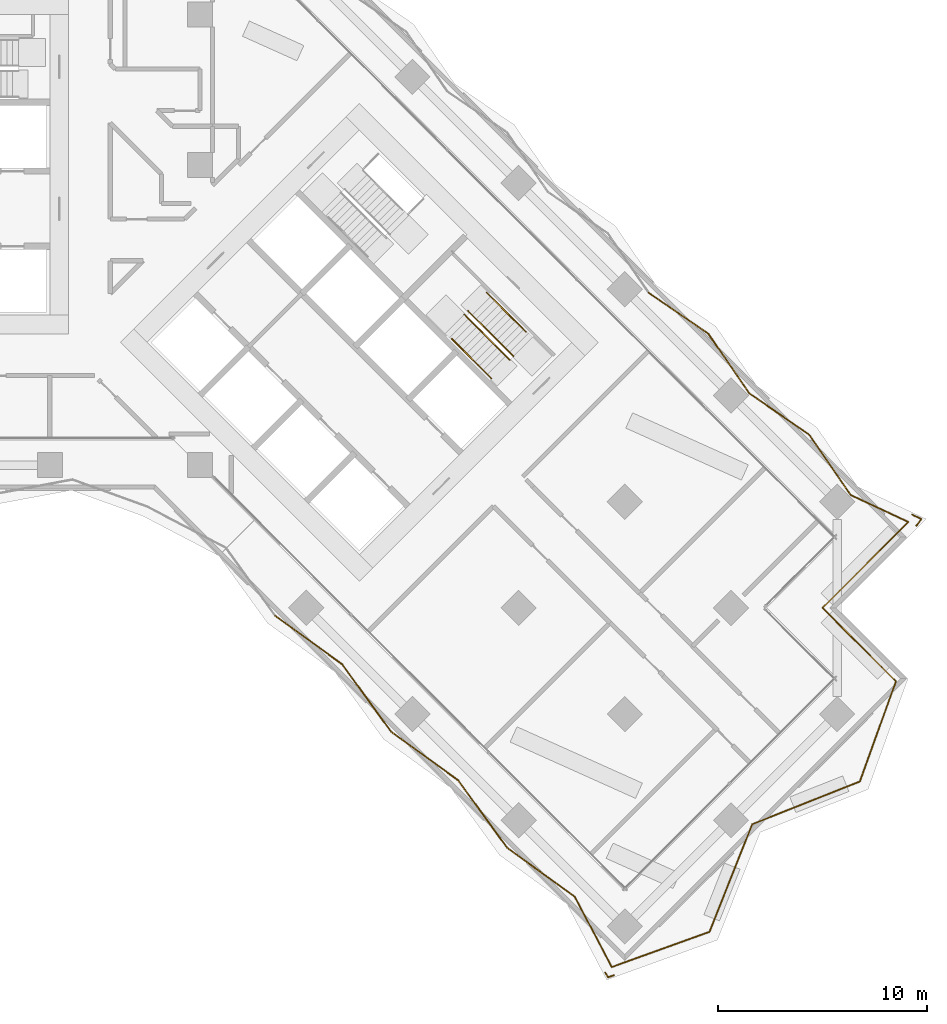
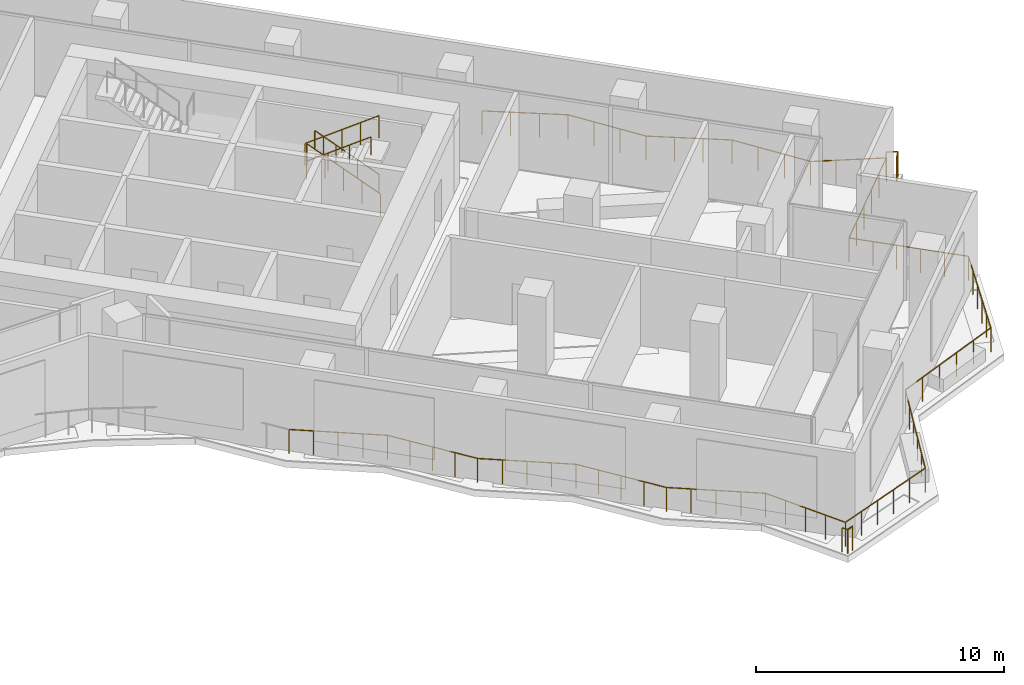
# One storey, part 23 of 24: 25 railings.
"""IFC4 building model written with IfcOpenShell, lengths in metres."""

from ifc_helpers import new_model, si_unit, direction, frame, origin, origin_2d, place, context, subcontext, project, spatial, circle, extrude, material, type_object, element, save


model = new_model("IFC4")

# Units and contexts
model_context = context("Model", 3, precision=1e-05, world=origin(), true_north=direction((0.0, 1.0)))
body_context = subcontext(model_context, "Body", "Model", "MODEL_VIEW")
ifc_project = project(units=[si_unit("LENGTHUNIT", "METRE"), si_unit("AREAUNIT", "SQUARE_METRE"), si_unit("VOLUMEUNIT", "CUBIC_METRE"), si_unit("PLANEANGLEUNIT", "RADIAN"), si_unit("MASSUNIT", "GRAM", prefix="KILO")], contexts=[model_context])

# Site, building, storey
site_placement = place(None, origin())
site = spatial("IfcSite", under=ifc_project, at=site_placement, CompositionType="ELEMENT")
building_placement = place(site_placement, origin())
building = spatial("IfcBuilding", under=site, at=building_placement, Name="Windrow Commons", CompositionType="ELEMENT")
storey_placement = place(building_placement, frame((0.0, 0.0, 67.8)))
storey = spatial("IfcBuildingStorey", under=building, at=storey_placement, Name="L18", CompositionType="ELEMENT", Elevation=67.8)

# Railings
ifc_material_1 = material(Name="Steel S355", Category="steel")
railing_type_1 = type_object("IfcRailingType", Name="Core stair guard 1100", PredefinedType="GUARDRAIL", material=ifc_material_1)
railing_1_placement = place(storey_placement, frame((94.2296, 48.4215, 0.175)))
element("IfcRailing", 1, at=railing_1_placement, inside=storey, type_object=railing_type_1, Name="L18 ST-B2 stair guard 1", PredefinedType="GUARDRAIL", context=body_context, shape_type="SweptSolid", body=[
    extrude(circle(Radius=0.024, at=origin_2d()), frame((0.0, 0.0, 1.076), z_axis=(-0.5996262107, 0.5996262107, 0.5299969951), x_axis=(-0.7071067812, -0.7071067812, 0.0)), (0.0, 0.0, 1.0), 3.6321),
    extrude(circle(Radius=0.021, at=origin_2d()), origin(), (0.0, 0.0, 1.0), 1.052),
    extrude(circle(Radius=0.021, at=origin_2d()), frame((-0.5445, 0.5445, 0.4813)), (0.0, 0.0, 1.0), 1.052),
    extrude(circle(Radius=0.021, at=origin_2d()), frame((-1.089, 1.089, 0.9625)), (0.0, 0.0, 1.0), 1.052),
    extrude(circle(Radius=0.021, at=origin_2d()), frame((-1.6334, 1.6334, 1.4438)), (0.0, 0.0, 1.0), 1.052),
    extrude(circle(Radius=0.021, at=origin_2d()), frame((-2.1779, 2.1779, 1.925)), (0.0, 0.0, 1.0), 1.052),
])
railing_2_placement = place(storey_placement, frame((91.8749, 50.4226, 2.275)))
element("IfcRailing", 2, at=railing_2_placement, inside=storey, type_object=railing_type_1, Name="L18 ST-B2 stair guard 2", PredefinedType="GUARDRAIL", context=body_context, shape_type="SweptSolid", body=[
    extrude(circle(Radius=0.024, at=origin_2d()), frame((0.0, 0.0, 1.076), z_axis=(0.5996262107, -0.5996262107, 0.5299969951), x_axis=(0.7071067812, 0.7071067812, 0.0)), (0.0, 0.0, 1.0), 3.6321),
    extrude(circle(Radius=0.021, at=origin_2d()), origin(), (0.0, 0.0, 1.0), 1.052),
    extrude(circle(Radius=0.021, at=origin_2d()), frame((0.5445, -0.5445, 0.4812)), (0.0, 0.0, 1.0), 1.052),
    extrude(circle(Radius=0.021, at=origin_2d()), frame((1.089, -1.089, 0.9625)), (0.0, 0.0, 1.0), 1.052),
    extrude(circle(Radius=0.021, at=origin_2d()), frame((1.6334, -1.6334, 1.4437)), (0.0, 0.0, 1.0), 1.052),
    extrude(circle(Radius=0.021, at=origin_2d()), frame((2.1779, -2.1779, 1.925)), (0.0, 0.0, 1.0), 1.052),
])
ifc_material_2 = material(Name="Steel S355", Category="steel")
railing_type_2 = type_object("IfcRailingType", Name="Core stair handrail 900", PredefinedType="HANDRAIL", material=ifc_material_2)
railing_3_placement = place(storey_placement, frame((94.8306, 49.5883, 0.425)))
element("IfcRailing", 3, at=railing_3_placement, inside=storey, type_object=railing_type_2, Name="L18 ST-B2 stair handrail 1", PredefinedType="HANDRAIL", context=body_context, shape_type="SweptSolid", body=[
    extrude(circle(Radius=0.024, at=origin_2d()), frame((0.0, 0.0, 0.876), z_axis=(-0.599641512, 0.5996098703, 0.5299981703), x_axis=(-0.7070881243, -0.7071254376, 0.0)), (0.0, 0.0, 1.0), 3.1604),
    extrude(circle(Radius=0.021, at=origin_2d()), origin(), (0.0, 0.0, 1.0), 0.852),
    extrude(circle(Radius=0.021, at=origin_2d()), frame((-0.6317, 0.6317, 0.5583)), (0.0, 0.0, 1.0), 0.852),
    extrude(circle(Radius=0.021, at=origin_2d()), frame((-1.2634, 1.2633, 1.1167)), (0.0, 0.0, 1.0), 0.852),
    extrude(circle(Radius=0.021, at=origin_2d()), frame((-1.8951, 1.895, 1.675)), (0.0, 0.0, 1.0), 0.852),
])
railing_4_placement = place(storey_placement, frame((91.2738, 49.2559, 2.525)))
element("IfcRailing", 4, at=railing_4_placement, inside=storey, type_object=railing_type_2, Name="L18 ST-B2 stair handrail 2", PredefinedType="HANDRAIL", context=body_context, shape_type="SweptSolid", body=[
    extrude(circle(Radius=0.024, at=origin_2d()), frame((0.0, 0.0, 0.876), z_axis=(0.599641512, -0.5996098703, 0.5299981703), x_axis=(0.7070881243, 0.7071254376, 0.0)), (0.0, 0.0, 1.0), 3.1604),
    extrude(circle(Radius=0.021, at=origin_2d()), origin(), (0.0, 0.0, 1.0), 0.852),
    extrude(circle(Radius=0.021, at=origin_2d()), frame((0.6317, -0.6317, 0.5583)), (0.0, 0.0, 1.0), 0.852),
    extrude(circle(Radius=0.021, at=origin_2d()), frame((1.2634, -1.2633, 1.1167)), (0.0, 0.0, 1.0), 0.852),
    extrude(circle(Radius=0.021, at=origin_2d()), frame((1.8951, -1.895, 1.675)), (0.0, 0.0, 1.0), 0.852),
])
ifc_material_3 = material(Name="Stainless steel S316 balustrade with toughened glass infill", Category="steel")
railing_type_3 = type_object("IfcRailingType", Name="Terrace guard 1200 podium", PredefinedType="BALUSTRADE", material=ifc_material_3)
railing_5_placement = place(storey_placement, frame((93.9159, 24.8653, 0.05)))
element("IfcRailing", 5, at=railing_5_placement, inside=storey, type_object=railing_type_3, Name="Guard TR-L18-1.E1", PredefinedType="BALUSTRADE", context=body_context, shape_type="SweptSolid", body=[
    extrude(circle(Radius=0.025, at=origin_2d()), frame((0.0, 0.0, 1.175), z_axis=(-0.5863547381, 0.8100543939, 0.0), x_axis=(-0.8100543939, -0.5863547381, 0.0)), (0.0, 0.0, 1.0), 3.9826),
    extrude(circle(Radius=0.02, at=origin_2d()), origin(), (0.0, 0.0, 1.0), 1.15),
    extrude(circle(Radius=0.02, at=origin_2d()), frame((-0.5838, 0.8065, 0.0)), (0.0, 0.0, 1.0), 1.15),
    extrude(circle(Radius=0.02, at=origin_2d()), frame((-1.1676, 1.613, 0.0)), (0.0, 0.0, 1.0), 1.15),
    extrude(circle(Radius=0.02, at=origin_2d()), frame((-1.7514, 2.4196, 0.0)), (0.0, 0.0, 1.0), 1.15),
    extrude(circle(Radius=0.02, at=origin_2d()), frame((-2.3352, 3.2261, 0.0)), (0.0, 0.0, 1.0), 1.15),
])
railing_6_placement = place(storey_placement, frame((91.5807, 28.0914, 0.05)))
element("IfcRailing", 6, at=railing_6_placement, inside=storey, type_object=railing_type_3, Name="Guard TR-L18-1.E2", PredefinedType="BALUSTRADE", context=body_context, shape_type="SweptSolid", body=[
    extrude(circle(Radius=0.025, at=origin_2d()), frame((0.0, 0.0, 1.175), z_axis=(-0.8100543939, 0.5863547381, 0.0), x_axis=(-0.5863547381, -0.8100543939, 0.0)), (0.0, 0.0, 1.0), 3.9826),
    extrude(circle(Radius=0.02, at=origin_2d()), origin(), (0.0, 0.0, 1.0), 1.15),
    extrude(circle(Radius=0.02, at=origin_2d()), frame((-0.8065, 0.5838, 0.0)), (0.0, 0.0, 1.0), 1.15),
    extrude(circle(Radius=0.02, at=origin_2d()), frame((-1.613, 1.1676, 0.0)), (0.0, 0.0, 1.0), 1.15),
    extrude(circle(Radius=0.02, at=origin_2d()), frame((-2.4196, 1.7514, 0.0)), (0.0, 0.0, 1.0), 1.15),
    extrude(circle(Radius=0.02, at=origin_2d()), frame((-3.2261, 2.3352, 0.0)), (0.0, 0.0, 1.0), 1.15),
])
railing_7_placement = place(storey_placement, frame((88.3546, 30.4266, 0.05)))
element("IfcRailing", 7, at=railing_7_placement, inside=storey, type_object=railing_type_3, Name="Guard TR-L18-1.E3", PredefinedType="BALUSTRADE", context=body_context, shape_type="SweptSolid", body=[
    extrude(circle(Radius=0.025, at=origin_2d()), frame((0.0, 0.0, 1.175), z_axis=(-0.586359288, 0.8100511005, 0.0), x_axis=(-0.8100511005, -0.586359288, 0.0)), (0.0, 0.0, 1.0), 3.9827),
    extrude(circle(Radius=0.02, at=origin_2d()), origin(), (0.0, 0.0, 1.0), 1.15),
    extrude(circle(Radius=0.02, at=origin_2d()), frame((-0.5838, 0.8065, 0.0)), (0.0, 0.0, 1.0), 1.15),
    extrude(circle(Radius=0.02, at=origin_2d()), frame((-1.1677, 1.6131, 0.0)), (0.0, 0.0, 1.0), 1.15),
    extrude(circle(Radius=0.02, at=origin_2d()), frame((-1.7515, 2.4196, 0.0)), (0.0, 0.0, 1.0), 1.15),
    extrude(circle(Radius=0.02, at=origin_2d()), frame((-2.3353, 3.2262, 0.0)), (0.0, 0.0, 1.0), 1.15),
])
railing_8_placement = place(storey_placement, frame((86.0193, 33.6528, 0.05)))
element("IfcRailing", 8, at=railing_8_placement, inside=storey, type_object=railing_type_3, Name="Guard TR-L18-1.E4", PredefinedType="BALUSTRADE", context=body_context, shape_type="SweptSolid", body=[
    extrude(circle(Radius=0.025, at=origin_2d()), frame((0.0, 0.0, 1.175), z_axis=(-0.8100543939, 0.5863547381, 0.0), x_axis=(-0.5863547381, -0.8100543939, 0.0)), (0.0, 0.0, 1.0), 3.9826),
    extrude(circle(Radius=0.02, at=origin_2d()), origin(), (0.0, 0.0, 1.0), 1.15),
    extrude(circle(Radius=0.02, at=origin_2d()), frame((-0.8065, 0.5838, 0.0)), (0.0, 0.0, 1.0), 1.15),
    extrude(circle(Radius=0.02, at=origin_2d()), frame((-1.6131, 1.1676, 0.0)), (0.0, 0.0, 1.0), 1.15),
    extrude(circle(Radius=0.02, at=origin_2d()), frame((-2.4196, 1.7514, 0.0)), (0.0, 0.0, 1.0), 1.15),
    extrude(circle(Radius=0.02, at=origin_2d()), frame((-3.2261, 2.3352, 0.0)), (0.0, 0.0, 1.0), 1.15),
])
railing_9_placement = place(storey_placement, frame((100.7076, 51.4705, 0.05)))
element("IfcRailing", 9, at=railing_9_placement, inside=storey, type_object=railing_type_3, Name="Guard TR-L18-1.E47", PredefinedType="BALUSTRADE", context=body_context, shape_type="SweptSolid", body=[
    extrude(circle(Radius=0.025, at=origin_2d()), frame((0.0, 0.0, 1.175), z_axis=(0.8236459911, -0.567104295, 0.0), x_axis=(0.567104295, 0.8236459911, 0.0)), (0.0, 0.0, 1.0), 3.4727),
    extrude(circle(Radius=0.02, at=origin_2d()), origin(), (0.0, 0.0, 1.0), 1.15),
    extrude(circle(Radius=0.02, at=origin_2d()), frame((0.9534, -0.6565, 0.0)), (0.0, 0.0, 1.0), 1.15),
    extrude(circle(Radius=0.02, at=origin_2d()), frame((1.9069, -1.3129, 0.0)), (0.0, 0.0, 1.0), 1.15),
    extrude(circle(Radius=0.02, at=origin_2d()), frame((2.8603, -1.9694, 0.0)), (0.0, 0.0, 1.0), 1.15),
])
railing_10_placement = place(storey_placement, frame((103.5679, 49.5011, 0.05)))
element("IfcRailing", 10, at=railing_10_placement, inside=storey, type_object=railing_type_3, Name="Guard TR-L18-1.E48", PredefinedType="BALUSTRADE", context=body_context, shape_type="SweptSolid", body=[
    extrude(circle(Radius=0.025, at=origin_2d()), frame((0.0, 0.0, 1.175), z_axis=(0.5670847596, -0.8236594414, 0.0), x_axis=(0.8236594414, 0.5670847596, 0.0)), (0.0, 0.0, 1.0), 3.4727),
    extrude(circle(Radius=0.02, at=origin_2d()), origin(), (0.0, 0.0, 1.0), 1.15),
    extrude(circle(Radius=0.02, at=origin_2d()), frame((0.6564, -0.9534, 0.0)), (0.0, 0.0, 1.0), 1.15),
    extrude(circle(Radius=0.02, at=origin_2d()), frame((1.3129, -1.9069, 0.0)), (0.0, 0.0, 1.0), 1.15),
    extrude(circle(Radius=0.02, at=origin_2d()), frame((1.9693, -2.8603, 0.0)), (0.0, 0.0, 1.0), 1.15),
])
railing_11_placement = place(storey_placement, frame((105.5372, 46.6408, 0.05)))
element("IfcRailing", 11, at=railing_11_placement, inside=storey, type_object=railing_type_3, Name="Guard TR-L18-1.E49", PredefinedType="BALUSTRADE", context=body_context, shape_type="SweptSolid", body=[
    extrude(circle(Radius=0.025, at=origin_2d()), frame((0.0, 0.0, 1.175), z_axis=(0.8236594414, -0.5670847596, 0.0), x_axis=(0.5670847596, 0.8236594414, 0.0)), (0.0, 0.0, 1.0), 3.4727),
    extrude(circle(Radius=0.02, at=origin_2d()), origin(), (0.0, 0.0, 1.0), 1.15),
    extrude(circle(Radius=0.02, at=origin_2d()), frame((0.9534, -0.6564, 0.0)), (0.0, 0.0, 1.0), 1.15),
    extrude(circle(Radius=0.02, at=origin_2d()), frame((1.9069, -1.3129, 0.0)), (0.0, 0.0, 1.0), 1.15),
    extrude(circle(Radius=0.02, at=origin_2d()), frame((2.8603, -1.9693, 0.0)), (0.0, 0.0, 1.0), 1.15),
])
railing_12_placement = place(storey_placement, frame((108.3975, 44.6715, 0.05)))
element("IfcRailing", 12, at=railing_12_placement, inside=storey, type_object=railing_type_3, Name="Guard TR-L18-1.E50", PredefinedType="BALUSTRADE", context=body_context, shape_type="SweptSolid", body=[
    extrude(circle(Radius=0.025, at=origin_2d()), frame((0.0, 0.0, 1.175), z_axis=(0.5670707314, -0.8236690996, 0.0), x_axis=(0.8236690996, 0.5670707314, 0.0)), (0.0, 0.0, 1.0), 3.5156),
    extrude(circle(Radius=0.02, at=origin_2d()), origin(), (0.0, 0.0, 1.0), 1.15),
    extrude(circle(Radius=0.02, at=origin_2d()), frame((0.6645, -0.9652, 0.0)), (0.0, 0.0, 1.0), 1.15),
    extrude(circle(Radius=0.02, at=origin_2d()), frame((1.3291, -1.9305, 0.0)), (0.0, 0.0, 1.0), 1.15),
    extrude(circle(Radius=0.02, at=origin_2d()), frame((1.9936, -2.8957, 0.0)), (0.0, 0.0, 1.0), 1.15),
])
railing_13_placement = place(storey_placement, frame((110.3911, 41.7758, 0.05)))
element("IfcRailing", 13, at=railing_13_placement, inside=storey, type_object=railing_type_3, Name="Guard TR-L18-1.E51", PredefinedType="BALUSTRADE", context=body_context, shape_type="SweptSolid", body=[
    extrude(circle(Radius=0.025, at=origin_2d()), frame((0.0, 0.0, 1.175), z_axis=(0.9048736176, -0.4256803215, 0.0), x_axis=(0.4256803215, 0.9048736176, 0.0)), (0.0, 0.0, 1.0), 3.0535),
    extrude(circle(Radius=0.02, at=origin_2d()), origin(), (0.0, 0.0, 1.0), 1.15),
    extrude(circle(Radius=0.02, at=origin_2d()), frame((0.921, -0.4333, 0.0)), (0.0, 0.0, 1.0), 1.15),
    extrude(circle(Radius=0.02, at=origin_2d()), frame((1.842, -0.8665, 0.0)), (0.0, 0.0, 1.0), 1.15),
    extrude(circle(Radius=0.02, at=origin_2d()), frame((2.763, -1.2998, 0.0)), (0.0, 0.0, 1.0), 1.15),
])
railing_14_placement = place(storey_placement, frame((113.1541, 40.476, 0.05)))
element("IfcRailing", 14, at=railing_14_placement, inside=storey, type_object=railing_type_3, Name="Guard TR-L18-1.E52", PredefinedType="BALUSTRADE", context=body_context, shape_type="SweptSolid", body=[
    extrude(circle(Radius=0.025, at=origin_2d()), frame((0.0, 0.0, 1.175), z_axis=(-0.7071067812, -0.7071067812, 0.0), x_axis=(0.7071067812, -0.7071067812, 0.0)), (0.0, 0.0, 1.0), 5.8184),
    extrude(circle(Radius=0.02, at=origin_2d()), origin(), (0.0, 0.0, 1.0), 1.15),
    extrude(circle(Radius=0.02, at=origin_2d()), frame((-0.8228, -0.8228, 0.0)), (0.0, 0.0, 1.0), 1.15),
    extrude(circle(Radius=0.02, at=origin_2d()), frame((-1.6457, -1.6457, 0.0)), (0.0, 0.0, 1.0), 1.15),
    extrude(circle(Radius=0.02, at=origin_2d()), frame((-2.4685, -2.4685, 0.0)), (0.0, 0.0, 1.0), 1.15),
    extrude(circle(Radius=0.02, at=origin_2d()), frame((-3.2914, -3.2914, 0.0)), (0.0, 0.0, 1.0), 1.15),
    extrude(circle(Radius=0.02, at=origin_2d()), frame((-4.1142, -4.1142, 0.0)), (0.0, 0.0, 1.0), 1.15),
])
railing_15_placement = place(storey_placement, frame((109.0399, 36.3618, 0.05)))
element("IfcRailing", 15, at=railing_15_placement, inside=storey, type_object=railing_type_3, Name="Guard TR-L18-1.E53", PredefinedType="BALUSTRADE", context=body_context, shape_type="SweptSolid", body=[
    extrude(circle(Radius=0.025, at=origin_2d()), frame((0.0, 0.0, 1.175), z_axis=(0.7071067812, -0.7071067812, 0.0), x_axis=(0.7071067812, 0.7071067812, 0.0)), (0.0, 0.0, 1.0), 4.9824),
    extrude(circle(Radius=0.02, at=origin_2d()), origin(), (0.0, 0.0, 1.0), 1.15),
    extrude(circle(Radius=0.02, at=origin_2d()), frame((0.7046, -0.7046, 0.0)), (0.0, 0.0, 1.0), 1.15),
    extrude(circle(Radius=0.02, at=origin_2d()), frame((1.4092, -1.4092, 0.0)), (0.0, 0.0, 1.0), 1.15),
    extrude(circle(Radius=0.02, at=origin_2d()), frame((2.1139, -2.1139, 0.0)), (0.0, 0.0, 1.0), 1.15),
    extrude(circle(Radius=0.02, at=origin_2d()), frame((2.8185, -2.8185, 0.0)), (0.0, 0.0, 1.0), 1.15),
    extrude(circle(Radius=0.02, at=origin_2d()), frame((3.5231, -3.5231, 0.0)), (0.0, 0.0, 1.0), 1.15),
])
railing_16_placement = place(storey_placement, frame((112.563, 32.8387, 0.05)))
element("IfcRailing", 16, at=railing_16_placement, inside=storey, type_object=railing_type_3, Name="Guard TR-L18-1.E54", PredefinedType="BALUSTRADE", context=body_context, shape_type="SweptSolid", body=[
    extrude(circle(Radius=0.025, at=origin_2d()), frame((0.0, 0.0, 1.175), z_axis=(-0.339248422, -0.9406968206, 0.0), x_axis=(0.9406968206, -0.339248422, 0.0)), (0.0, 0.0, 1.0), 5.1007),
    extrude(circle(Radius=0.02, at=origin_2d()), origin(), (0.0, 0.0, 1.0), 1.15),
    extrude(circle(Radius=0.02, at=origin_2d()), frame((-0.3461, -0.9596, 0.0)), (0.0, 0.0, 1.0), 1.15),
    extrude(circle(Radius=0.02, at=origin_2d()), frame((-0.6922, -1.9193, 0.0)), (0.0, 0.0, 1.0), 1.15),
    extrude(circle(Radius=0.02, at=origin_2d()), frame((-1.0382, -2.8789, 0.0)), (0.0, 0.0, 1.0), 1.15),
    extrude(circle(Radius=0.02, at=origin_2d()), frame((-1.3843, -3.8386, 0.0)), (0.0, 0.0, 1.0), 1.15),
    extrude(circle(Radius=0.02, at=origin_2d()), frame((-1.7304, -4.7982, 0.0)), (0.0, 0.0, 1.0), 1.15),
])
railing_17_placement = place(storey_placement, frame((110.8326, 28.0405, 0.05)))
element("IfcRailing", 17, at=railing_17_placement, inside=storey, type_object=railing_type_3, Name="Guard TR-L18-1.E55", PredefinedType="BALUSTRADE", context=body_context, shape_type="SweptSolid", body=[
    extrude(circle(Radius=0.025, at=origin_2d()), frame((0.0, 0.0, 1.175), z_axis=(-0.9291546807, -0.3696911947, 0.0), x_axis=(0.3696911947, -0.9291546807, 0.0)), (0.0, 0.0, 1.0), 5.5514),
    extrude(circle(Radius=0.02, at=origin_2d()), origin(), (0.0, 0.0, 1.0), 1.15),
    extrude(circle(Radius=0.02, at=origin_2d()), frame((-1.0316, -0.4105, 0.0)), (0.0, 0.0, 1.0), 1.15),
    extrude(circle(Radius=0.02, at=origin_2d()), frame((-2.0632, -0.8209, 0.0)), (0.0, 0.0, 1.0), 1.15),
    extrude(circle(Radius=0.02, at=origin_2d()), frame((-3.0949, -1.2314, 0.0)), (0.0, 0.0, 1.0), 1.15),
    extrude(circle(Radius=0.02, at=origin_2d()), frame((-4.1265, -1.6418, 0.0)), (0.0, 0.0, 1.0), 1.15),
    extrude(circle(Radius=0.02, at=origin_2d()), frame((-5.1581, -2.0523, 0.0)), (0.0, 0.0, 1.0), 1.15),
])
railing_18_placement = place(storey_placement, frame((105.6745, 25.9882, 0.05)))
element("IfcRailing", 18, at=railing_18_placement, inside=storey, type_object=railing_type_3, Name="Guard TR-L18-1.E56", PredefinedType="BALUSTRADE", context=body_context, shape_type="SweptSolid", body=[
    extrude(circle(Radius=0.025, at=origin_2d()), frame((0.0, 0.0, 1.175), z_axis=(-0.3696850071, -0.9291571425, 0.0), x_axis=(0.9291571425, -0.3696850071, 0.0)), (0.0, 0.0, 1.0), 5.5515),
    extrude(circle(Radius=0.02, at=origin_2d()), origin(), (0.0, 0.0, 1.0), 1.15),
    extrude(circle(Radius=0.02, at=origin_2d()), frame((-0.4105, -1.0316, 0.0)), (0.0, 0.0, 1.0), 1.15),
    extrude(circle(Radius=0.02, at=origin_2d()), frame((-0.8209, -2.0633, 0.0)), (0.0, 0.0, 1.0), 1.15),
    extrude(circle(Radius=0.02, at=origin_2d()), frame((-1.2314, -3.0949, 0.0)), (0.0, 0.0, 1.0), 1.15),
    extrude(circle(Radius=0.02, at=origin_2d()), frame((-1.6418, -4.1266, 0.0)), (0.0, 0.0, 1.0), 1.15),
    extrude(circle(Radius=0.02, at=origin_2d()), frame((-2.0523, -5.1582, 0.0)), (0.0, 0.0, 1.0), 1.15),
])
railing_19_placement = place(storey_placement, frame((103.6222, 20.83, 0.05)))
element("IfcRailing", 19, at=railing_19_placement, inside=storey, type_object=railing_type_3, Name="Guard TR-L18-1.E57", PredefinedType="BALUSTRADE", context=body_context, shape_type="SweptSolid", body=[
    extrude(circle(Radius=0.025, at=origin_2d()), frame((0.0, 0.0, 1.175), z_axis=(-0.9406979123, -0.3392453946, 0.0), x_axis=(0.3392453946, -0.9406979123, 0.0)), (0.0, 0.0, 1.0), 4.9819),
    extrude(circle(Radius=0.02, at=origin_2d()), origin(), (0.0, 0.0, 1.0), 1.15),
    extrude(circle(Radius=0.02, at=origin_2d()), frame((-0.9373, -0.338, 0.0)), (0.0, 0.0, 1.0), 1.15),
    extrude(circle(Radius=0.02, at=origin_2d()), frame((-1.8746, -0.676, 0.0)), (0.0, 0.0, 1.0), 1.15),
    extrude(circle(Radius=0.02, at=origin_2d()), frame((-2.8119, -1.0141, 0.0)), (0.0, 0.0, 1.0), 1.15),
    extrude(circle(Radius=0.02, at=origin_2d()), frame((-3.7492, -1.3521, 0.0)), (0.0, 0.0, 1.0), 1.15),
    extrude(circle(Radius=0.02, at=origin_2d()), frame((-4.6865, -1.6901, 0.0)), (0.0, 0.0, 1.0), 1.15),
])
railing_20_placement = place(storey_placement, frame((98.9357, 19.1399, 0.05)))
element("IfcRailing", 20, at=railing_20_placement, inside=storey, type_object=railing_type_3, Name="Guard TR-L18-1.E58", PredefinedType="BALUSTRADE", context=body_context, shape_type="SweptSolid", body=[
    extrude(circle(Radius=0.025, at=origin_2d()), frame((0.0, 0.0, 1.175), z_axis=(-0.4638015657, 0.8859391106, 0.0), x_axis=(-0.8859391106, -0.4638015657, 0.0)), (0.0, 0.0, 1.0), 3.8018),
    extrude(circle(Radius=0.02, at=origin_2d()), origin(), (0.0, 0.0, 1.0), 1.15),
    extrude(circle(Radius=0.02, at=origin_2d()), frame((-0.4408, 0.842, 0.0)), (0.0, 0.0, 1.0), 1.15),
    extrude(circle(Radius=0.02, at=origin_2d()), frame((-0.8817, 1.6841, 0.0)), (0.0, 0.0, 1.0), 1.15),
    extrude(circle(Radius=0.02, at=origin_2d()), frame((-1.3225, 2.5261, 0.0)), (0.0, 0.0, 1.0), 1.15),
    extrude(circle(Radius=0.02, at=origin_2d()), frame((-1.7633, 3.3682, 0.0)), (0.0, 0.0, 1.0), 1.15),
])
railing_21_placement = place(storey_placement, frame((97.1724, 22.5081, 0.05)))
element("IfcRailing", 21, at=railing_21_placement, inside=storey, type_object=railing_type_3, Name="Guard TR-L18-1.E59", PredefinedType="BALUSTRADE", context=body_context, shape_type="SweptSolid", body=[
    extrude(circle(Radius=0.025, at=origin_2d()), frame((0.0, 0.0, 1.175), z_axis=(-0.8100549755, 0.5863539347, 0.0), x_axis=(-0.5863539347, -0.8100549755, 0.0)), (0.0, 0.0, 1.0), 4.0201),
    extrude(circle(Radius=0.02, at=origin_2d()), origin(), (0.0, 0.0, 1.0), 1.15),
    extrude(circle(Radius=0.02, at=origin_2d()), frame((-0.8141, 0.5893, 0.0)), (0.0, 0.0, 1.0), 1.15),
    extrude(circle(Radius=0.02, at=origin_2d()), frame((-1.6283, 1.1786, 0.0)), (0.0, 0.0, 1.0), 1.15),
    extrude(circle(Radius=0.02, at=origin_2d()), frame((-2.4424, 1.7679, 0.0)), (0.0, 0.0, 1.0), 1.15),
    extrude(circle(Radius=0.02, at=origin_2d()), frame((-3.2565, 2.3572, 0.0)), (0.0, 0.0, 1.0), 1.15),
])
railing_22_placement = place(storey_placement, frame((99.0403, 18.7524, 0.05)))
element("IfcRailing", 22, at=railing_22_placement, inside=storey, type_object=railing_type_3, Name="Guard TR-L18-1.C1", PredefinedType="BALUSTRADE", context=body_context, shape_type="SweptSolid", body=[
    extrude(circle(Radius=0.025, at=origin_2d()), frame((0.0, 0.0, 1.175), z_axis=(-0.9407324309, -0.3391496624, 0.0), x_axis=(0.3391496624, -0.9407324309, 0.0)), (0.0, 0.0, 1.0), 0.2881),
    extrude(circle(Radius=0.02, at=origin_2d()), origin(), (0.0, 0.0, 1.0), 1.15),
    extrude(circle(Radius=0.02, at=origin_2d()), frame((-0.271, -0.0977, 0.0)), (0.0, 0.0, 1.0), 1.15),
])
railing_23_placement = place(storey_placement, frame((98.7693, 18.6547, 0.05)))
element("IfcRailing", 23, at=railing_23_placement, inside=storey, type_object=railing_type_3, Name="Guard TR-L18-1.C2", PredefinedType="BALUSTRADE", context=body_context, shape_type="SweptSolid", body=[
    extrude(circle(Radius=0.025, at=origin_2d()), frame((0.0, 0.0, 1.175), z_axis=(-0.5531340692, 0.8330922527, 0.0), x_axis=(-0.8330922527, -0.5531340692, 0.0)), (0.0, 0.0, 1.0), 0.2654),
    extrude(circle(Radius=0.02, at=origin_2d()), origin(), (0.0, 0.0, 1.0), 1.15),
    extrude(circle(Radius=0.02, at=origin_2d()), frame((-0.1468, 0.2211, 0.0)), (0.0, 0.0, 1.0), 1.15),
])
railing_24_placement = place(storey_placement, frame((113.3451, 40.8282, 0.05)))
element("IfcRailing", 24, at=railing_24_placement, inside=storey, type_object=railing_type_3, Name="Guard TR-L18-1.C3", PredefinedType="BALUSTRADE", context=body_context, shape_type="SweptSolid", body=[
    extrude(circle(Radius=0.025, at=origin_2d()), frame((0.0, 0.0, 1.175), z_axis=(0.9049312508, -0.4255577886, 0.0), x_axis=(0.4255577886, 0.9049312508, 0.0)), (0.0, 0.0, 1.0), 0.4831),
    extrude(circle(Radius=0.02, at=origin_2d()), origin(), (0.0, 0.0, 1.0), 1.15),
    extrude(circle(Radius=0.02, at=origin_2d()), frame((0.4372, -0.2056, 0.0)), (0.0, 0.0, 1.0), 1.15),
])
railing_25_placement = place(storey_placement, frame((113.7459, 40.5734, 0.05)))
element("IfcRailing", 25, at=railing_25_placement, inside=storey, type_object=railing_type_3, Name="Guard TR-L18-1.C4", PredefinedType="BALUSTRADE", context=body_context, shape_type="SweptSolid", body=[
    extrude(circle(Radius=0.025, at=origin_2d()), frame((0.0, 0.0, 1.175), z_axis=(-0.5950736136, -0.8036711979, 0.0), x_axis=(0.8036711979, -0.5950736136, 0.0)), (0.0, 0.0, 1.0), 0.3418),
    extrude(circle(Radius=0.02, at=origin_2d()), origin(), (0.0, 0.0, 1.0), 1.15),
    extrude(circle(Radius=0.02, at=origin_2d()), frame((-0.2034, -0.2747, 0.0)), (0.0, 0.0, 1.0), 1.15),
])

save(model, "model.ifc")
